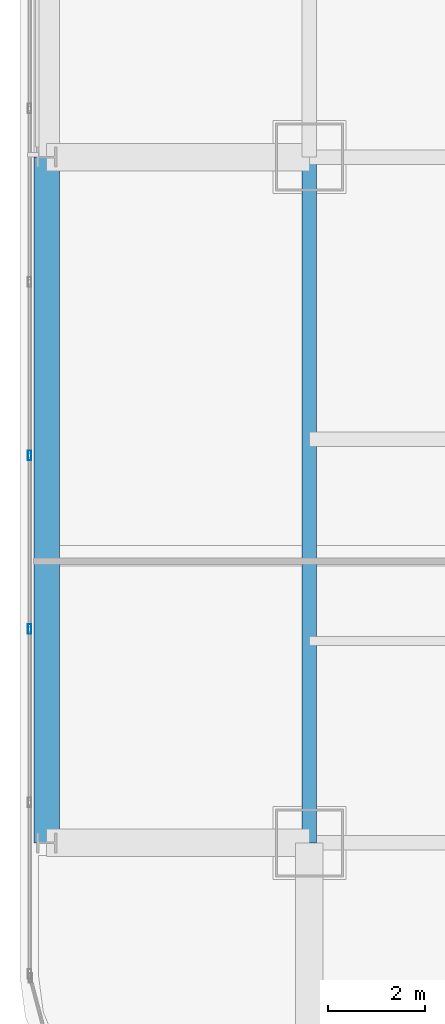
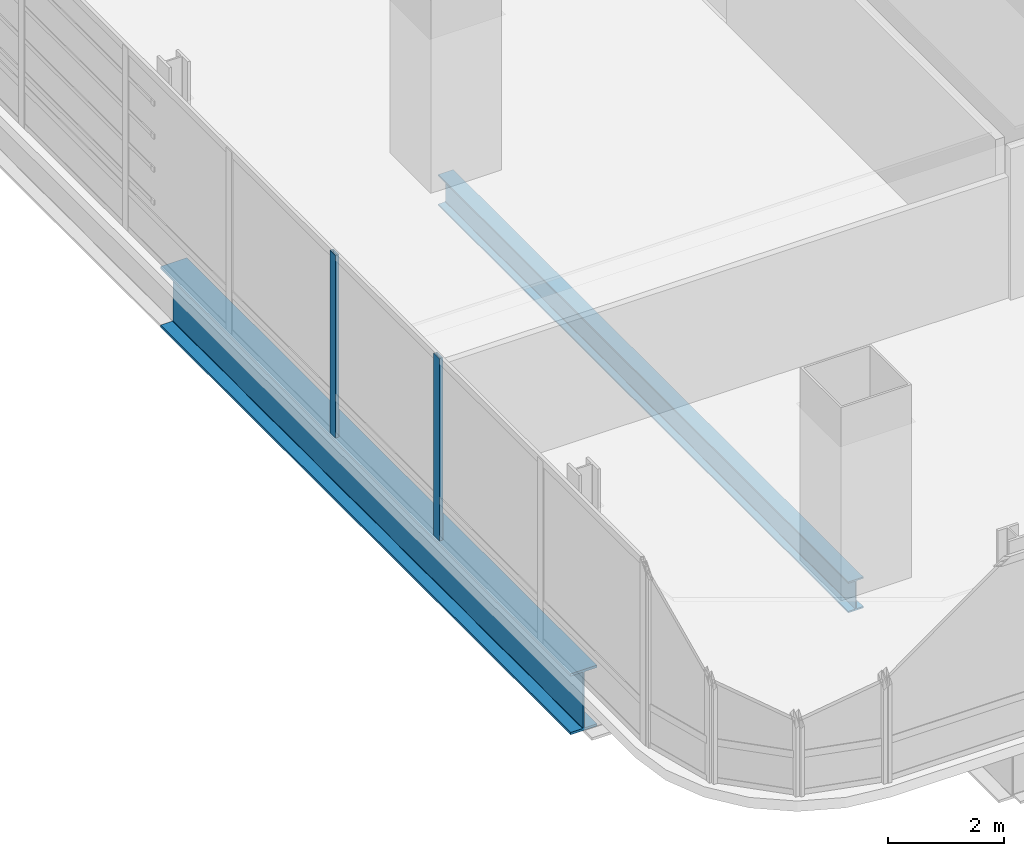
# One storey, part 4 of 37: 2 beams, 2 members, 1 element without a shape of its own.
"""IFC4 building model written with IfcOpenShell, lengths in metres."""

from ifc_helpers import new_model, si_unit, direction, frame, origin, origin_2d, place, context, subcontext, project, spatial, hollow_rectangle, i_section, extrude, material, material_profile, profile_set, type_object, element, aggregate, save


model = new_model("IFC4")

# Units and contexts
model_context = context("Model", 3, precision=1e-05, world=origin(), true_north=direction((0.0, 1.0)))
body_context = subcontext(model_context, "Body", "Model", "MODEL_VIEW")
ifc_project = project(units=[si_unit("LENGTHUNIT", "METRE"), si_unit("AREAUNIT", "SQUARE_METRE"), si_unit("VOLUMEUNIT", "CUBIC_METRE"), si_unit("PLANEANGLEUNIT", "RADIAN"), si_unit("MASSUNIT", "GRAM", prefix="KILO")], contexts=[model_context])

# Site, building, storey
site_placement = place(None, origin())
site = spatial("IfcSite", under=ifc_project, at=site_placement, CompositionType="ELEMENT")
building_placement = place(site_placement, origin())
building = spatial("IfcBuilding", under=site, at=building_placement, Name="Punatoya Terracotta Tower", CompositionType="ELEMENT")
storey_placement = place(building_placement, frame((0.0, 0.0, 192.449951171875)))
storey = spatial("IfcBuildingStorey", under=building, at=storey_placement, Name="L45", CompositionType="ELEMENT", Elevation=192.449951171875)

# Beams
ifc_material_1 = material(Name="Steel S355", Category="steel")
ifc_material_profile_1 = material_profile(ifc_material_1, i_section(OverallWidth=0.300048828125, OverallDepth=0.64990234375, WebThickness=0.01611328125, FlangeThickness=0.031005859375, FilletRadius=0.01806640625, at=origin_2d()))
ifc_profile_set_1 = profile_set([ifc_material_profile_1], Name="Steel S355")
beam_type_1 = type_object("IfcBeamType", Name="BM-PRI-650", PredefinedType="BEAM", material=ifc_profile_set_1)
beam_1_placement = place(storey_placement, frame((-19.10009765625, -17.5, -0.544921875), z_axis=(0.0, 1.0, 0.0), x_axis=(-1.0, 0.0, 0.0)))
element("IfcBeam", 1, at=beam_1_placement, inside=storey, type_object=beam_type_1, Name="BM-L45-RG-W1", PredefinedType="BEAM", context=body_context, shape_type="SweptSolid", body=[
    extrude(i_section(OverallWidth=0.300048828125, OverallDepth=0.64990234375, WebThickness=0.01611328125, FlangeThickness=0.031005859375, FilletRadius=0.01806640625, at=origin_2d()), origin(), (0.0, 0.0, 1.0), 14.10009765625),
])
ifc_material_2 = material(Name="Steel S460", Category="steel")
ifc_material_profile_2 = material_profile(ifc_material_2, i_section(OverallWidth=0.52001953125, OverallDepth=1.280029296875, WebThickness=0.031982421875, FlangeThickness=0.050048828125, FilletRadius=0.01806640625, at=origin_2d()))
ifc_profile_set_2 = profile_set([ifc_material_profile_2], Name="Steel S460")
beam_type_2 = type_object("IfcBeamType", Name="BM-TG-NCK", PredefinedType="BEAM", material=ifc_profile_set_2)
beam_2_placement = place(storey_placement, frame((-24.5, -17.5, -0.85986328125), z_axis=(0.0, 1.0, 0.0), x_axis=(-1.0, 0.0, 0.0)))
element("IfcBeam", 2, at=beam_2_placement, inside=storey, type_object=beam_type_2, Name="BM-L45-PER-W1", PredefinedType="BEAM", context=body_context, shape_type="SweptSolid", body=[
    extrude(i_section(OverallWidth=0.52001953125, OverallDepth=1.280029296875, WebThickness=0.031982421875, FlangeThickness=0.050048828125, FilletRadius=0.01806640625, at=origin_2d()), origin(), (0.0, 0.0, 1.0), 14.10009765625),
])

# Curtain wall, members
ifc_material_3 = material(Name="Aluminium 6063-T6 + Double Low-E Glass", Category="aluminium")
curtain_wall_type = type_object("IfcCurtainWallType", Name="CW-M2", PredefinedType="NOTDEFINED", material=ifc_material_3)
curtain_wall_placement = place(storey_placement, origin())
curtain_wall = element("IfcCurtainWall", 3, at=curtain_wall_placement, inside=storey, type_object=curtain_wall_type, Name="L45 Curtain Wall CW-L45-W13-1", PredefinedType="NOTDEFINED")
ifc_material_4 = material(Name="Aluminium 6063-T6", Category="aluminium")
ifc_material_profile_3 = material_profile(ifc_material_4, hollow_rectangle(XDim=0.072021484375, YDim=0.195068359375, WallThickness=0.00439453125, at=origin_2d()))
ifc_profile_set_3 = profile_set([ifc_material_profile_3], Name="Aluminium 6063-T6")
member_type = type_object("IfcMemberType", Name="CW-MUL-M2", PredefinedType="MULLION", material=ifc_profile_set_3)
member_1_placement = place(storey_placement, frame((-24.85009765625, -9.534912109375, 0.0), z_axis=(0.0, 0.0, 1.0), x_axis=(1.0, 0.0, 0.0)))
member_1 = element("IfcMember", 4, at=member_1_placement, type_object=member_type, Name="CW-L45-W13-1 Mullion 07", PredefinedType="MULLION", context=body_context, shape_type="SweptSolid", body=[
    extrude(hollow_rectangle(XDim=0.072021484375, YDim=0.195068359375, WallThickness=0.00439453125, at=origin_2d()), origin(), (0.0, 0.0, 1.0), 3.830078125),
])
member_2_placement = place(storey_placement, frame((-24.85009765625, -13.10205078125, 0.0), z_axis=(0.0, 0.0, 1.0), x_axis=(1.0, 0.0, 0.0)))
member_2 = element("IfcMember", 5, at=member_2_placement, type_object=member_type, Name="CW-L45-W13-1 Mullion 08", PredefinedType="MULLION", context=body_context, shape_type="SweptSolid", body=[
    extrude(hollow_rectangle(XDim=0.072021484375, YDim=0.195068359375, WallThickness=0.00439453125, at=origin_2d()), origin(), (0.0, 0.0, 1.0), 3.830078125),
])
aggregate(curtain_wall, [member_1, member_2])

save(model, "model.ifc")
